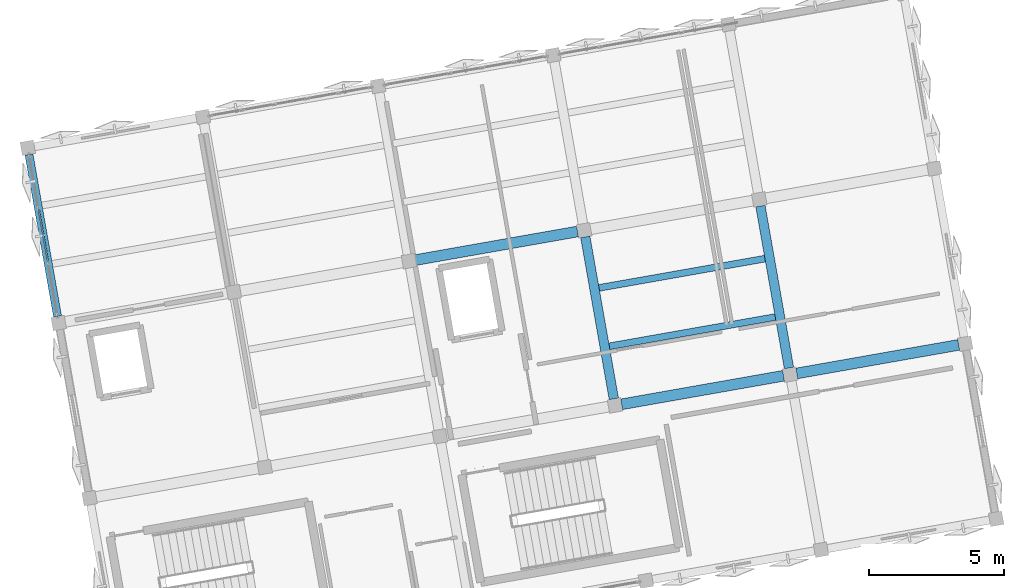
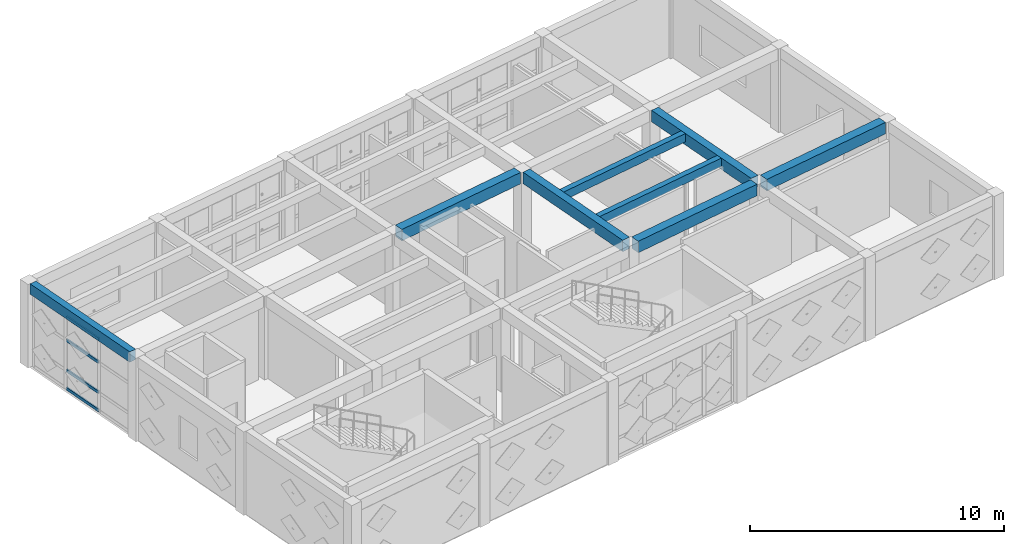
# One storey, part 5 of 15: 8 beams, 4 members, 1 element without a shape of its own.
"""IFC4 building model written with IfcOpenShell, lengths in metres."""

import ifcopenshell
import ifcopenshell.guid

model = None  # the IFC model being written
_history = None  # IfcOwnerHistory: only IFC2X3 demands one
_inside = {}  # id of a spatial element -> (the spatial element, [elements in it])
_under = {}  # id of a project, library or spatial element -> (it, [spatial elements below it])
_declared = {}  # id of a project -> (the project, [libraries it declares])
_typed = {}  # id of a type object -> (the type object, [elements of that type])
_made_of = {}  # id of a material, layer set ... -> (it, [elements and type objects made of it])


def new_model(schema):
    """Start an empty IFC model of exactly this schema.

    Asked for "IFC4X3", IfcOpenShell would pick the latest addendum, in which some entities
    have other attributes; the version numbers below select the first issue.
    IFC2X3 requires an IfcOwnerHistory on every rooted entity: one is made here for all.
    """
    global model, _history
    if schema == "IFC4X3":
        model = ifcopenshell.file(schema_version=(4, 3, 0, 0))
    else:
        model = ifcopenshell.file(schema=schema)
    _inside.clear()
    _under.clear()
    _declared.clear()
    _typed.clear()
    _made_of.clear()
    _history = None
    if model.schema == "IFC2X3":
        org = make("IfcOrganization", Name="unknown")
        user = make(
            "IfcPersonAndOrganization",
            ThePerson=make("IfcPerson", FamilyName="unknown"),
            TheOrganization=org,
        )
        app = make(
            "IfcApplication",
            ApplicationDeveloper=org,
            Version="unknown",
            ApplicationFullName="unknown",
            ApplicationIdentifier="unknown",
        )
        _history = make(
            "IfcOwnerHistory",
            OwningUser=user,
            OwningApplication=app,
            ChangeAction="ADDED",
            CreationDate=0,
        )
    return model


def make(cls, **values):
    """One entity of the class cls with the attributes given. An attribute that is None is left unset."""
    return model.create_entity(
        cls, **{name: value for name, value in values.items() if value is not None}
    )


def rooted(cls, **values):
    """An entity with a GlobalId (a new one), such as an element, a storey or a relation."""
    return make(cls, GlobalId=ifcopenshell.guid.new(), OwnerHistory=_history, **values)


def si_unit(unit_type, name, prefix=None):
    """IfcSIUnit, for example si_unit("LENGTHUNIT", "METRE", prefix="MILLI")."""
    return make("IfcSIUnit", UnitType=unit_type, Prefix=prefix, Name=name)


def assignment(units):
    """IfcUnitAssignment: the units of a project."""
    return None if units is None else make("IfcUnitAssignment", Units=units)


def point(xyz):
    """IfcCartesianPoint."""
    return None if xyz is None else make("IfcCartesianPoint", Coordinates=xyz)


def direction(xyz):
    """IfcDirection."""
    return None if xyz is None else make("IfcDirection", DirectionRatios=xyz)


def frame(location, z_axis=None, x_axis=None):
    """IfcAxis2Placement3D, a coordinate frame: its origin and axes. An axis left out is left unset."""
    return make(
        "IfcAxis2Placement3D",
        Location=point(location),
        Axis=direction(z_axis),
        RefDirection=direction(x_axis),
    )


def frame_2d(location, x_axis=None):
    """IfcAxis2Placement2D, a coordinate frame in the plane: its origin and x axis."""
    return make(
        "IfcAxis2Placement2D", Location=point(location), RefDirection=direction(x_axis)
    )


def origin():
    """The frame at (0, 0, 0) with its axes left unset."""
    return frame((0.0, 0.0, 0.0))


def origin_2d():
    """The frame at (0, 0) in the plane with its x axis left unset."""
    return frame_2d((0.0, 0.0))


def place(relative_to, where):
    """IfcLocalPlacement: puts the frame where relative to a parent placement (None: the world)."""
    return make(
        "IfcLocalPlacement", PlacementRelTo=relative_to, RelativePlacement=where
    )


def context(
    kind, dimensions, precision=None, world=None, true_north=None, identifier=None
):
    """IfcGeometricRepresentationContext, for example the 3D "Model" context."""
    return make(
        "IfcGeometricRepresentationContext",
        ContextIdentifier=identifier,
        ContextType=kind,
        CoordinateSpaceDimension=dimensions,
        Precision=precision,
        WorldCoordinateSystem=world,
        TrueNorth=true_north,
    )


def subcontext(parent, identifier, kind, view, scale=None):
    """IfcGeometricRepresentationSubContext, for example "Body" below "Model"."""
    return make(
        "IfcGeometricRepresentationSubContext",
        ContextIdentifier=identifier,
        ContextType=kind,
        ParentContext=parent,
        TargetScale=scale,
        TargetView=view,
    )


def project(units=None, contexts=None):
    """IfcProject with its units and contexts."""
    return rooted(
        "IfcProject",
        Name="project",
        RepresentationContexts=contexts,
        UnitsInContext=assignment(units),
    )


def spatial(cls, under=None, at=None, **own):
    """A site, building, storey or space (cls), placed at a placement, below another one or the project."""
    s = rooted(cls, ObjectPlacement=at, **own)
    if under is not None:
        _under.setdefault(under.id(), (under, []))[1].append(s)
    return s


def profile(cls, at=None, kind="AREA", **sizes):
    """A parametric profile (cls). Its sizes go by their IFC names, for example OverallWidth=200.0."""
    return make(cls, ProfileType=kind, Position=at, **sizes)


def rectangle(**sizes):
    """IfcRectangleProfileDef."""
    return profile("IfcRectangleProfileDef", **sizes)


def hollow_rectangle(**sizes):
    """IfcRectangleHollowProfileDef."""
    return profile("IfcRectangleHollowProfileDef", **sizes)


def extrude(swept, where, along, depth):
    """IfcExtrudedAreaSolid: the profile swept, set in the frame where, extruded along a direction by depth."""
    return make(
        "IfcExtrudedAreaSolid",
        SweptArea=swept,
        Position=where,
        ExtrudedDirection=direction(along),
        Depth=depth,
    )


def shape(context_of_items, identifier, shape_type, items):
    """IfcShapeRepresentation: the items that make up one representation, for example the "Body"."""
    return make(
        "IfcShapeRepresentation",
        ContextOfItems=context_of_items,
        RepresentationIdentifier=identifier,
        RepresentationType=shape_type,
        Items=items,
    )


def material(Name=None, Category=None):
    """IfcMaterial."""
    return make("IfcMaterial", Name=Name, Category=Category)


def layer(
    of_material, thickness, ventilated=None, Name=None, Category=None, Priority=None
):
    """IfcMaterialLayer: one layer of a wall or slab, of a material (None: an air gap)."""
    return make(
        "IfcMaterialLayer",
        Material=of_material,
        LayerThickness=thickness,
        IsVentilated=ventilated,
        Name=Name,
        Category=Category,
        Priority=Priority,
    )


def layer_set(layers, Name=None):
    """IfcMaterialLayerSet."""
    return make("IfcMaterialLayerSet", MaterialLayers=layers, LayerSetName=Name)


def material_profile(
    of_material, cross_section, Name=None, Category=None, Priority=None
):
    """IfcMaterialProfile: a cross section and its material."""
    return make(
        "IfcMaterialProfile",
        Name=Name,
        Material=of_material,
        Profile=cross_section,
        Priority=Priority,
        Category=Category,
    )


def profile_set(profiles, Name=None, composite=None):
    """IfcMaterialProfileSet."""
    return make(
        "IfcMaterialProfileSet",
        Name=Name,
        MaterialProfiles=profiles,
        CompositeProfile=composite,
    )


def made_of(thing, what):
    """Note that an element or type object is made of a material, layer set ...; save() writes the relation."""
    if what is not None:
        _made_of.setdefault(what.id(), (what, []))[1].append(thing)
    return thing


def type_object(cls, material=None, **own):
    """A type object (cls), such as IfcWallType, which elements share."""
    return made_of(rooted(cls, **own), material)


def element(
    cls,
    number,
    at=None,
    inside=None,
    cuts=None,
    type_object=None,
    material=None,
    context=None,
    identifier="Body",
    shape_type=None,
    held_by="IfcProductDefinitionShape",
    body=None,
    shapes=None,
    **own,
):
    """One element of the class cls, such as IfcWall. Its Tag is "e" and its number.

    at: its placement. inside: the storey or other place that contains it. cuts: it is an
    opening in that element (IfcRelVoidsElement). A single representation is given by context,
    identifier, shape_type and body (its items); several are given by shapes. held_by: the class
    of the entity that holds the representations. save() writes the other relations.
    """
    e = rooted(cls, Tag="e%d" % number, ObjectPlacement=at, **own)
    if body is not None:
        shapes = [shape(context, identifier, shape_type, body)]
    if shapes is not None:
        e.Representation = make(held_by, Representations=shapes)
    if inside is not None:
        _inside.setdefault(inside.id(), (inside, []))[1].append(e)
    if cuts is not None:
        rooted(
            "IfcRelVoidsElement", RelatingBuildingElement=cuts, RelatedOpeningElement=e
        )
    if type_object is not None:
        _typed.setdefault(type_object.id(), (type_object, []))[1].append(e)
    return made_of(e, material)


def aggregate(whole, parts):
    """IfcRelAggregates: a whole, such as a stair, and the parts it consists of."""
    return rooted("IfcRelAggregates", RelatingObject=whole, RelatedObjects=parts)


def save(model, path):
    """Write the relations noted so far, then the file.

    IfcRelAggregates (storeys below a building ...), IfcRelContainedInSpatialStructure (elements
    in a storey), IfcRelDefinesByType, IfcRelAssociatesMaterial and IfcRelDeclares: one each for
    every whole, place, type object, material and project.
    """
    for whole, parts in _under.values():
        aggregate(whole, parts)
    for where, things in _inside.values():
        rooted(
            "IfcRelContainedInSpatialStructure",
            RelatedElements=things,
            RelatingStructure=where,
        )
    for kind, things in _typed.values():
        rooted("IfcRelDefinesByType", RelatedObjects=things, RelatingType=kind)
    for what, things in _made_of.values():
        rooted("IfcRelAssociatesMaterial", RelatedObjects=things, RelatingMaterial=what)
    for by, libraries in _declared.values():
        rooted("IfcRelDeclares", RelatingContext=by, RelatedDefinitions=libraries)
    model.write(path)


model = new_model("IFC4")

# Units and contexts
model_context = context("Model", 3, precision=1e-05, world=origin(), true_north=direction((0.0, 1.0)))
body_context = subcontext(model_context, "Body", "Model", "MODEL_VIEW")
ifc_project = project(units=[si_unit("LENGTHUNIT", "METRE"), si_unit("AREAUNIT", "SQUARE_METRE"), si_unit("VOLUMEUNIT", "CUBIC_METRE"), si_unit("PLANEANGLEUNIT", "RADIAN"), si_unit("MASSUNIT", "GRAM", prefix="KILO")], contexts=[model_context])

# Site, building, storey
site_placement = place(None, origin())
site = spatial("IfcSite", under=ifc_project, at=site_placement, CompositionType="ELEMENT")
building_placement = place(site_placement, origin())
building = spatial("IfcBuilding", under=site, at=building_placement, Name="Kharisveld Research Institute", CompositionType="ELEMENT")
storey_placement = place(building_placement, frame((0.0, 0.0, 40.800048828125)))
storey = spatial("IfcBuildingStorey", under=building, at=storey_placement, Name="L09", CompositionType="ELEMENT", Elevation=40.800048828125)

# Beams
ifc_material_1 = material(Name="Concrete C40/50", Category="concrete")
ifc_material_profile_1 = material_profile(ifc_material_1, rectangle(XDim=0.35009765625, YDim=0.550048828125, at=origin_2d()))
ifc_profile_set_1 = profile_set([ifc_material_profile_1], Name="Concrete C40/50")
beam_type_1 = type_object("IfcBeamType", Name="BM_RC_350x550", PredefinedType="BEAM", material=ifc_profile_set_1)
for number, where, z_axis, x_axis, name in (
    (1, (23.509765625, 45.194091796875, 3.73486328125), (-0.173659757005, 0.984805711192, 0.0), (-0.984805711192, -0.173659757005, 0.0), "BM:V1:L09:V3_1"),
    (2, (30.009521484375, 46.34033203125, 3.73486328125), (-0.173659757005, 0.984805711192, 0.0), (-0.984805711192, -0.173659757005, 0.0), "BM:V1:L09:V4_1"),
):
    element("IfcBeam", number, at=place(storey_placement, frame(where, z_axis=z_axis, x_axis=x_axis)), inside=storey, type_object=beam_type_1, Name=name, PredefinedType="BEAM", context=body_context, shape_type="SweptSolid", body=[
        extrude(rectangle(XDim=0.35009765625, YDim=0.550048828125, at=origin_2d()), origin(), (0.0, 0.0, 1.0), 6.10009765625),
    ])
ifc_material_2 = material(Name="Concrete C40/50", Category="concrete")
ifc_material_profile_2 = material_profile(ifc_material_2, rectangle(XDim=0.39990234375, YDim=0.550048828125, at=origin_2d()))
ifc_profile_set_2 = profile_set([ifc_material_profile_2], Name="Concrete C40/50")
beam_type_2 = type_object("IfcBeamType", Name="BM_RC_400x550", PredefinedType="BEAM", material=ifc_profile_set_2)
beam_1_placement = place(storey_placement, frame((23.79931640625, 44.991455078125, 3.73486328125), z_axis=(0.984812555252, 0.173620940611, 0.0), x_axis=(-0.173620940611, 0.984812555252, 0.0)))
element("IfcBeam", 3, at=beam_1_placement, inside=storey, type_object=beam_type_2, Name="BM:V1:L09:U3_1", PredefinedType="BEAM", context=body_context, shape_type="SweptSolid", body=[
    extrude(rectangle(XDim=0.39990234375, YDim=0.550048828125, at=origin_2d()), origin(), (0.0, 0.0, 1.0), 6.099853515625),
])
for number, where, z_axis, x_axis, name in (
    (4, (30.299072265625, 46.137451171875, 3.73486328125), (0.984805711192, 0.173659757005, 0.0), (-0.173659757005, 0.984805711192, 0.0), "BM:V1:L09:U4_1"),
    (5, (16.153564453125, 50.344970703125, 3.73486328125), (0.984805711192, 0.173659757005, 0.0), (-0.173659757005, 0.984805711192, 0.0), "BM:V1:L09:U2_2"),
):
    element("IfcBeam", number, at=place(storey_placement, frame(where, z_axis=z_axis, x_axis=x_axis)), inside=storey, type_object=beam_type_2, Name=name, PredefinedType="BEAM", context=body_context, shape_type="SweptSolid", body=[
        extrude(rectangle(XDim=0.39990234375, YDim=0.550048828125, at=origin_2d()), origin(), (0.0, 0.0, 1.0), 6.10009765625),
    ])

# Curtain wall, members
ifc_material_3 = material(Name="Thermally Broken Aluminium Curtain Wall", Category="aluminium")
ifc_layer = layer(ifc_material_3, 0.159912109375)
ifc_layer_set = layer_set([ifc_layer], Name="CW_SYS_06")
curtain_wall_type = type_object("IfcCurtainWallType", Name="CW_SYS_06", PredefinedType="NOTDEFINED", material=ifc_layer_set)
curtain_wall_placement = place(storey_placement, origin())
curtain_wall = element("IfcCurtainWall", 6, at=curtain_wall_placement, inside=storey, type_object=curtain_wall_type, Name="CW:V1:L09:W2", PredefinedType="NOTDEFINED")
ifc_material_4 = material(Name="Anodised Aluminium AW-6063-T6", Category="aluminium")
ifc_material_profile_3 = material_profile(ifc_material_4, hollow_rectangle(XDim=0.06494140625, YDim=0.139892578125, WallThickness=0.00390625, at=origin_2d()))
ifc_profile_set_3 = profile_set([ifc_material_profile_3], Name="Anodised Aluminium AW-6063-T6")
member_type = type_object("IfcMemberType", Name="CW_TRN_140", PredefinedType="USERDEFINED", material=ifc_profile_set_3)
member_1_placement = place(storey_placement, frame((2.505615234375, 50.291015625, 0.032470703125), z_axis=(-0.173672023659, 0.984803548023, 0.0), x_axis=(-0.984803548023, -0.173672023659, 0.0)))
member_1 = element("IfcMember", 7, at=member_1_placement, type_object=member_type, Name="CW-06 transom 2.1", ObjectType="TRANSOM", PredefinedType="USERDEFINED", context=body_context, shape_type="SweptSolid", body=[
    extrude(hollow_rectangle(XDim=0.06494140625, YDim=0.139892578125, WallThickness=0.00390625, at=origin_2d()), origin(), (0.0, 0.0, 1.0), 1.966552734375),
])
member_2_placement = place(storey_placement, frame((2.505615234375, 50.291015625, 0.89990234375), z_axis=(-0.173672023659, 0.984803548023, 0.0), x_axis=(-0.984803548023, -0.173672023659, 0.0)))
member_2 = element("IfcMember", 8, at=member_2_placement, type_object=member_type, Name="CW-06 transom 2.2", ObjectType="TRANSOM", PredefinedType="USERDEFINED", context=body_context, shape_type="SweptSolid", body=[
    extrude(hollow_rectangle(XDim=0.06494140625, YDim=0.139892578125, WallThickness=0.00390625, at=origin_2d()), origin(), (0.0, 0.0, 1.0), 1.966552734375),
])
member_3_placement = place(storey_placement, frame((2.505615234375, 50.291015625, 2.349853515625), z_axis=(-0.173672023659, 0.984803548023, 0.0), x_axis=(-0.984803548023, -0.173672023659, 0.0)))
member_3 = element("IfcMember", 9, at=member_3_placement, type_object=member_type, Name="CW-06 transom 2.3", ObjectType="TRANSOM", PredefinedType="USERDEFINED", context=body_context, shape_type="SweptSolid", body=[
    extrude(hollow_rectangle(XDim=0.06494140625, YDim=0.139892578125, WallThickness=0.00390625, at=origin_2d()), origin(), (0.0, 0.0, 1.0), 1.966552734375),
])
member_4_placement = place(storey_placement, frame((2.505615234375, 50.291015625, 3.447509765625), z_axis=(-0.173672023659, 0.984803548023, 0.0), x_axis=(-0.984803548023, -0.173672023659, 0.0)))
member_4 = element("IfcMember", 10, at=member_4_placement, type_object=member_type, Name="CW-06 transom 2.4", ObjectType="TRANSOM", PredefinedType="USERDEFINED", context=body_context, shape_type="SweptSolid", body=[
    extrude(hollow_rectangle(XDim=0.06494140625, YDim=0.139892578125, WallThickness=0.00390625, at=origin_2d()), origin(), (0.0, 0.0, 1.0), 1.966552734375),
])
aggregate(curtain_wall, [member_1, member_2, member_3, member_4])

# Beams
ifc_material_5 = material(Name="Concrete C40/50", Category="concrete")
ifc_material_profile_4 = material_profile(ifc_material_5, rectangle(XDim=0.300048828125, YDim=0.5, at=origin_2d()))
ifc_profile_set_4 = profile_set([ifc_material_profile_4], Name="Concrete C40/50")
beam_type_3 = type_object("IfcBeamType", Name="SP_RC_300x500", PredefinedType="SPANDREL", material=ifc_profile_set_4)
beam_2_placement = place(storey_placement, frame((2.864501953125, 48.255615234375, 3.760009765625), z_axis=(-0.173659757005, 0.984805711192, 0.0), x_axis=(-0.984805711192, -0.173659757005, 0.0)))
element("IfcBeam", 11, at=beam_2_placement, inside=storey, type_object=beam_type_3, Name="BM:V1:L09:V0_2", PredefinedType="SPANDREL", context=body_context, shape_type="SweptSolid", body=[
    extrude(rectangle(XDim=0.300048828125, YDim=0.5, at=origin_2d()), origin(), (0.0, 0.0, 1.0), 6.10009765625),
])
ifc_material_6 = material(Name="Concrete C40/50", Category="concrete")
ifc_material_profile_5 = material_profile(ifc_material_6, rectangle(XDim=0.25, YDim=0.39990234375, at=origin_2d()))
ifc_profile_set_5 = profile_set([ifc_material_profile_5], Name="Concrete C40/50")
beam_type_4 = type_object("IfcBeamType", Name="WB_RC_250x400", PredefinedType="JOIST", material=ifc_profile_set_5)
for number, where, z_axis, x_axis, name in (
    (12, (23.343505859375, 47.14501953125, 3.81005859375), (0.984810288083, 0.17363379995, 0.0), (-0.17363379995, 0.984810288083, 0.0), "BM:V1:L09:J_3_1_R1"),
    (13, (22.96142578125, 49.3115234375, 3.81005859375), (0.984810288083, 0.17363379995, 0.0), (-0.17363379995, 0.984810288083, 0.0), "BM:V1:L09:J_3_1_R2"),
):
    element("IfcBeam", number, at=place(storey_placement, frame(where, z_axis=z_axis, x_axis=x_axis)), inside=storey, type_object=beam_type_4, Name=name, PredefinedType="JOIST", context=body_context, shape_type="SweptSolid", body=[
        extrude(rectangle(XDim=0.25, YDim=0.39990234375, at=origin_2d()), origin(), (0.0, 0.0, 1.0), 6.25),
    ])

save(model, "model.ifc")
